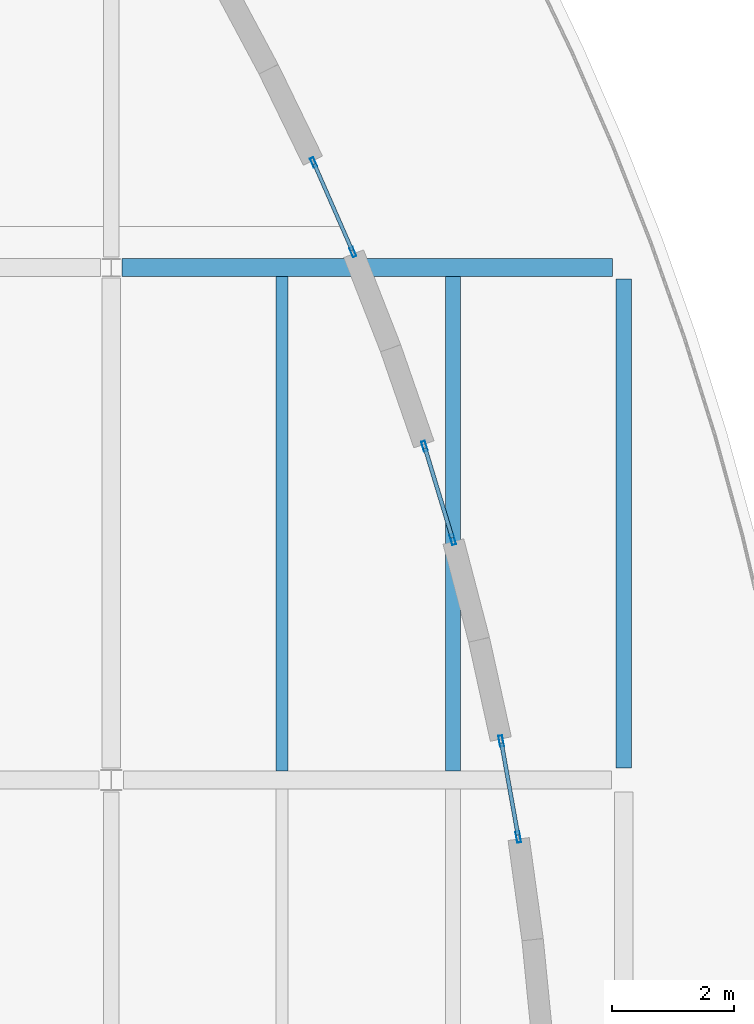
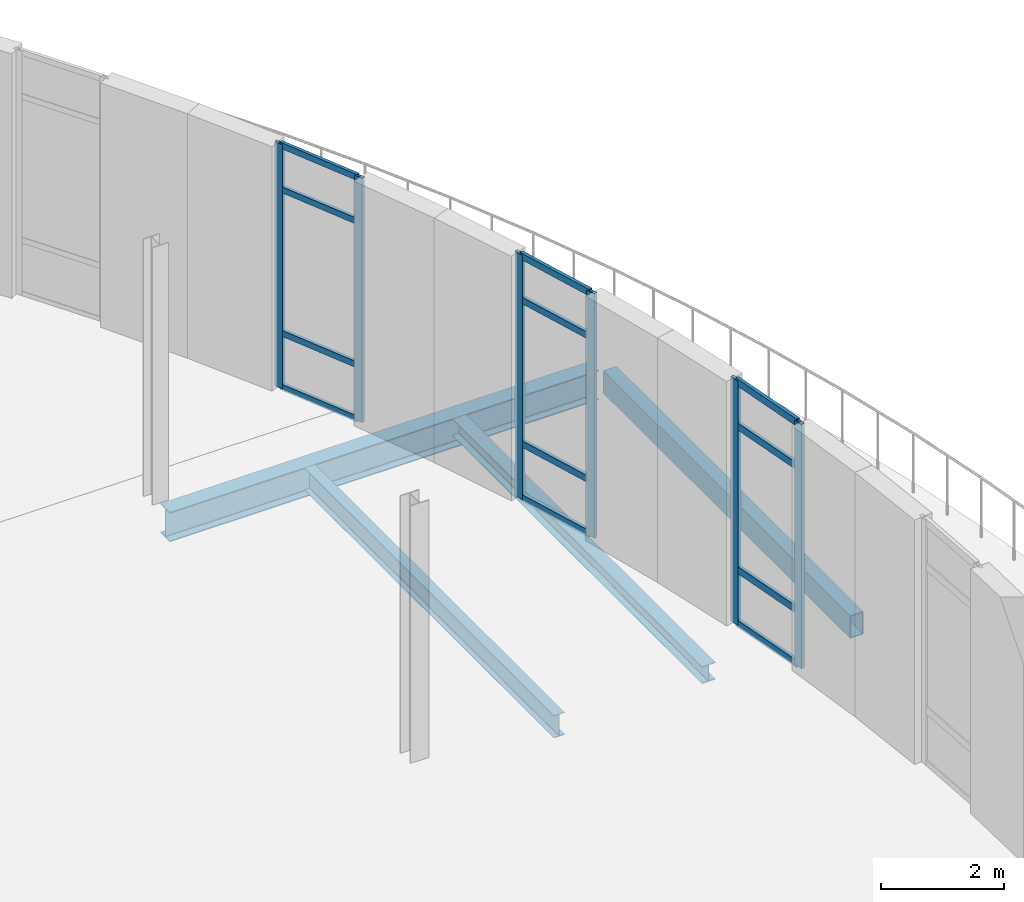
# One storey, part 53 of 91: 18 members, 4 beams, 3 elements without a shape of their own.
"""IFC4 building model written with IfcOpenShell, lengths in metres."""

from ifc_helpers import new_model, si_unit, direction, frame, origin, origin_2d, place, context, subcontext, project, spatial, hollow_rectangle, i_section, extrude, material, layer, layer_set, material_profile, profile_set, type_object, element, aggregate, save


model = new_model("IFC4")

# Units and contexts
model_context = context("Model", 3, precision=1e-05, world=origin(), true_north=direction((0.0, 1.0)))
body_context = subcontext(model_context, "Body", "Model", "MODEL_VIEW")
ifc_project = project(units=[si_unit("LENGTHUNIT", "METRE"), si_unit("AREAUNIT", "SQUARE_METRE"), si_unit("VOLUMEUNIT", "CUBIC_METRE"), si_unit("PLANEANGLEUNIT", "RADIAN"), si_unit("MASSUNIT", "GRAM", prefix="KILO"), si_unit("THERMODYNAMICTEMPERATUREUNIT", "KELVIN")], contexts=[model_context])

# Site, building, storey
site_placement = place(None, origin())
site = spatial("IfcSite", under=ifc_project, at=site_placement, CompositionType="ELEMENT")
building_placement = place(site_placement, origin())
building = spatial("IfcBuilding", under=site, at=building_placement, Name="Lustrewick Department Store", CompositionType="ELEMENT")
storey_placement = place(building_placement, frame((0.0, 0.0, 21.60009765625)))
storey = spatial("IfcBuildingStorey", under=building, at=storey_placement, Name="L05", CompositionType="ELEMENT", Elevation=21.60009765625)

# Beams
ifc_material_1 = material(Name="Structural steel Q355B", Category="steel")
ifc_material_profile_1 = material_profile(ifc_material_1, i_section(OverallWidth=0.198974609375, OverallDepth=0.446044921875, WebThickness=0.008056640625, FlangeThickness=0.011962890625, FilletRadius=0.01611328125, at=origin_2d()), Name="HN 446x199x8x12")
ifc_profile_set_1 = profile_set([ifc_material_profile_1], Name="Structural steel Q355B")
beam_type_1 = type_object("IfcBeamType", Name="B04", PredefinedType="JOIST", material=ifc_profile_set_1)
beam_1_placement = place(storey_placement, frame((154.0, 67.35009765625, -0.47802734375), z_axis=(0.0, 1.0, 0.0), x_axis=(-1.0, 0.0, 0.0)))
element("IfcBeam", 1, at=beam_1_placement, inside=storey, type_object=beam_type_1, Name="L05 V4 Secondary Joist B04", PredefinedType="JOIST", context=body_context, shape_type="SweptSolid", body=[
    extrude(i_section(OverallWidth=0.198974609375, OverallDepth=0.446044921875, WebThickness=0.008056640625, FlangeThickness=0.011962890625, FilletRadius=0.01611328125, at=origin_2d()), origin(), (0.0, 0.0, 1.0), 8.099853515625),
])
ifc_material_profile_2 = material_profile(ifc_material_1, i_section(OverallWidth=0.25, OverallDepth=0.340087890625, WebThickness=0.009033203125, FlangeThickness=0.013916015625, FilletRadius=0.01611328125, at=origin_2d()), Name="HM 340x250x9x14")
ifc_profile_set_2 = profile_set([ifc_material_profile_2], Name="Structural steel Q355B")
beam_type_2 = type_object("IfcBeamType", Name="B08", PredefinedType="JOIST", material=ifc_profile_set_2)
beam_2_placement = place(storey_placement, frame((156.800048828125, 67.35009765625, -0.425048828125), z_axis=(0.0, 1.0, 0.0), x_axis=(-1.0, 0.0, 0.0)))
element("IfcBeam", 2, at=beam_2_placement, inside=storey, type_object=beam_type_2, Name="L05 V4 Secondary Joist B08", PredefinedType="JOIST", context=body_context, shape_type="SweptSolid", body=[
    extrude(i_section(OverallWidth=0.25, OverallDepth=0.340087890625, WebThickness=0.009033203125, FlangeThickness=0.013916015625, FilletRadius=0.01611328125, at=origin_2d()), origin(), (0.0, 0.0, 1.0), 8.099853515625),
])

# Curtain wall, members
ifc_material_2 = material(Name="Thermally broken aluminium 6063-T5", Category="aluminium")
ifc_layer_1 = layer(ifc_material_2, 0.179931640625, Name="Thermally broken aluminium 6063-T5")
ifc_layer_set_1 = layer_set([ifc_layer_1], Name="Thermally broken aluminium 6063-T5")
curtain_wall_type_1 = type_object("IfcCurtainWallType", Name="CW02", PredefinedType="NOTDEFINED", material=ifc_layer_set_1)
curtain_wall_1_placement = place(storey_placement, origin())
curtain_wall_1 = element("IfcCurtainWall", 3, at=curtain_wall_1_placement, inside=storey, type_object=curtain_wall_type_1, Name="L05 V4 Curtain Wall CW02", PredefinedType="NOTDEFINED")
ifc_material_profile_3 = material_profile(ifc_material_2, hollow_rectangle(XDim=0.06494140625, YDim=0.179931640625, WallThickness=0.00390625, at=origin_2d()), Name="ALU-M 65x180x4")
ifc_profile_set_3 = profile_set([ifc_material_profile_3], Name="Thermally broken aluminium 6063-T5")
member_type_1 = type_object("IfcMemberType", Name="CW02-M1", PredefinedType="MULLION", material=ifc_profile_set_3)
member_1_placement = place(storey_placement, frame((157.872314453125, 66.264892578125, 0.0), z_axis=(0.0, 0.0, 1.0), x_axis=(-0.98442534814, -0.175803111289, 0.0)))
member_1 = element("IfcMember", 4, at=member_1_placement, type_object=member_type_1, Name="CW02 mullion 1", PredefinedType="MULLION", context=body_context, shape_type="SweptSolid", body=[
    extrude(hollow_rectangle(XDim=0.06494140625, YDim=0.179931640625, WallThickness=0.00390625, at=origin_2d()), origin(), (0.0, 0.0, 1.0), 4.844970703125),
])
member_2_placement = place(storey_placement, frame((157.591064453125, 67.83984375, 0.0), z_axis=(0.0, 0.0, 1.0), x_axis=(-0.98442534814, -0.175803111289, 0.0)))
member_2 = element("IfcMember", 5, at=member_2_placement, type_object=member_type_1, Name="CW02 mullion 2", PredefinedType="MULLION", context=body_context, shape_type="SweptSolid", body=[
    extrude(hollow_rectangle(XDim=0.06494140625, YDim=0.179931640625, WallThickness=0.00390625, at=origin_2d()), origin(), (0.0, 0.0, 1.0), 4.844970703125),
])
ifc_material_profile_4 = material_profile(ifc_material_2, hollow_rectangle(XDim=0.06494140625, YDim=0.139892578125, WallThickness=0.00341796875, at=origin_2d()), Name="ALU-T 65x140x3.5")
ifc_profile_set_4 = profile_set([ifc_material_profile_4], Name="Thermally broken aluminium 6063-T5")
member_type_2 = type_object("IfcMemberType", Name="CW02-T1", PredefinedType="USERDEFINED", material=ifc_profile_set_4)
member_3_placement = place(storey_placement, frame((157.866455078125, 66.296875, 0.032470703125), z_axis=(-0.175763112297, 0.984432490502, 0.0), x_axis=(-0.984432490502, -0.175763112297, 0.0)))
member_3 = element("IfcMember", 6, at=member_3_placement, type_object=member_type_2, Name="CW02 transom 1.1", ObjectType="TRANSOM", PredefinedType="USERDEFINED", context=body_context, shape_type="SweptSolid", body=[
    extrude(hollow_rectangle(XDim=0.06494140625, YDim=0.139892578125, WallThickness=0.00341796875, at=origin_2d()), origin(), (0.0, 0.0, 1.0), 1.534912109375),
])
member_4_placement = place(storey_placement, frame((157.866455078125, 66.296875, 1.099853515625), z_axis=(-0.175763112297, 0.984432490502, 0.0), x_axis=(-0.984432490502, -0.175763112297, 0.0)))
member_4 = element("IfcMember", 7, at=member_4_placement, type_object=member_type_2, Name="CW02 transom 1.2", ObjectType="TRANSOM", PredefinedType="USERDEFINED", context=body_context, shape_type="SweptSolid", body=[
    extrude(hollow_rectangle(XDim=0.06494140625, YDim=0.139892578125, WallThickness=0.00341796875, at=origin_2d()), origin(), (0.0, 0.0, 1.0), 1.534912109375),
])
member_5_placement = place(storey_placement, frame((157.866455078125, 66.296875, 3.94482421875), z_axis=(-0.175763112297, 0.984432490502, 0.0), x_axis=(-0.984432490502, -0.175763112297, 0.0)))
member_5 = element("IfcMember", 8, at=member_5_placement, type_object=member_type_2, Name="CW02 transom 1.3", ObjectType="TRANSOM", PredefinedType="USERDEFINED", context=body_context, shape_type="SweptSolid", body=[
    extrude(hollow_rectangle(XDim=0.06494140625, YDim=0.139892578125, WallThickness=0.00341796875, at=origin_2d()), origin(), (0.0, 0.0, 1.0), 1.534912109375),
])
member_6_placement = place(storey_placement, frame((157.866455078125, 66.296875, 4.8125), z_axis=(-0.175763112297, 0.984432490502, 0.0), x_axis=(-0.984432490502, -0.175763112297, 0.0)))
member_6 = element("IfcMember", 9, at=member_6_placement, type_object=member_type_2, Name="CW02 transom 1.4", ObjectType="TRANSOM", PredefinedType="USERDEFINED", context=body_context, shape_type="SweptSolid", body=[
    extrude(hollow_rectangle(XDim=0.06494140625, YDim=0.139892578125, WallThickness=0.00341796875, at=origin_2d()), origin(), (0.0, 0.0, 1.0), 1.534912109375),
])
aggregate(curtain_wall_1, [member_1, member_2, member_3, member_4, member_5, member_6])

ifc_layer_2 = layer(ifc_material_2, 0.169921875, Name="Thermally broken aluminium 6063-T5")
ifc_layer_set_2 = layer_set([ifc_layer_2], Name="Thermally broken aluminium 6063-T5")
curtain_wall_type_2 = type_object("IfcCurtainWallType", Name="CW03", PredefinedType="NOTDEFINED", material=ifc_layer_set_2)
curtain_wall_2_placement = place(storey_placement, origin())
curtain_wall_2 = element("IfcCurtainWall", 10, at=curtain_wall_2_placement, inside=storey, type_object=curtain_wall_type_2, Name="L05 V4 Curtain Wall CW03", PredefinedType="NOTDEFINED")
ifc_material_profile_5 = material_profile(ifc_material_2, hollow_rectangle(XDim=0.06494140625, YDim=0.169921875, WallThickness=0.00390625, at=origin_2d()), Name="ALU-M 65x170x4")
ifc_profile_set_5 = profile_set([ifc_material_profile_5], Name="Thermally broken aluminium 6063-T5")
member_type_3 = type_object("IfcMemberType", Name="CW03-M1", PredefinedType="MULLION", material=ifc_profile_set_5)
member_7_placement = place(storey_placement, frame((156.798583984375, 71.14013671875, 0.0), z_axis=(0.0, 0.0, 1.0), x_axis=(-0.956938990308, -0.290289112487, 0.0)))
member_7 = element("IfcMember", 11, at=member_7_placement, type_object=member_type_3, Name="CW03 mullion 1", PredefinedType="MULLION", context=body_context, shape_type="SweptSolid", body=[
    extrude(hollow_rectangle(XDim=0.06494140625, YDim=0.169921875, WallThickness=0.00390625, at=origin_2d()), origin(), (0.0, 0.0, 1.0), 4.844970703125),
])
member_8_placement = place(storey_placement, frame((156.334228515625, 72.671142578125, 0.0), z_axis=(0.0, 0.0, 1.0), x_axis=(-0.956938990308, -0.290289112487, 0.0)))
member_8 = element("IfcMember", 12, at=member_8_placement, type_object=member_type_3, Name="CW03 mullion 2", PredefinedType="MULLION", context=body_context, shape_type="SweptSolid", body=[
    extrude(hollow_rectangle(XDim=0.06494140625, YDim=0.169921875, WallThickness=0.00390625, at=origin_2d()), origin(), (0.0, 0.0, 1.0), 4.844970703125),
])
ifc_material_profile_6 = material_profile(ifc_material_2, hollow_rectangle(XDim=0.06494140625, YDim=0.1298828125, WallThickness=0.00341796875, at=origin_2d()), Name="ALU-T 65x130x3.5")
ifc_profile_set_6 = profile_set([ifc_material_profile_6], Name="Thermally broken aluminium 6063-T5")
member_type_4 = type_object("IfcMemberType", Name="CW03-T1", PredefinedType="USERDEFINED", material=ifc_profile_set_6)
member_9_placement = place(storey_placement, frame((156.789306640625, 71.17138671875, 0.032470703125), z_axis=(-0.290294342101, 0.95693740388, 0.0), x_axis=(-0.95693740388, -0.290294342101, 0.0)))
member_9 = element("IfcMember", 13, at=member_9_placement, type_object=member_type_4, Name="CW03 transom 1.1", ObjectType="TRANSOM", PredefinedType="USERDEFINED", context=body_context, shape_type="SweptSolid", body=[
    extrude(hollow_rectangle(XDim=0.06494140625, YDim=0.1298828125, WallThickness=0.00341796875, at=origin_2d()), origin(), (0.0, 0.0, 1.0), 1.534912109375),
])
member_10_placement = place(storey_placement, frame((156.789306640625, 71.17138671875, 1.099853515625), z_axis=(-0.290294342101, 0.95693740388, 0.0), x_axis=(-0.95693740388, -0.290294342101, 0.0)))
member_10 = element("IfcMember", 14, at=member_10_placement, type_object=member_type_4, Name="CW03 transom 1.2", ObjectType="TRANSOM", PredefinedType="USERDEFINED", context=body_context, shape_type="SweptSolid", body=[
    extrude(hollow_rectangle(XDim=0.06494140625, YDim=0.1298828125, WallThickness=0.00341796875, at=origin_2d()), origin(), (0.0, 0.0, 1.0), 1.534912109375),
])
member_11_placement = place(storey_placement, frame((156.789306640625, 71.17138671875, 3.94482421875), z_axis=(-0.290294342101, 0.95693740388, 0.0), x_axis=(-0.95693740388, -0.290294342101, 0.0)))
member_11 = element("IfcMember", 15, at=member_11_placement, type_object=member_type_4, Name="CW03 transom 1.3", ObjectType="TRANSOM", PredefinedType="USERDEFINED", context=body_context, shape_type="SweptSolid", body=[
    extrude(hollow_rectangle(XDim=0.06494140625, YDim=0.1298828125, WallThickness=0.00341796875, at=origin_2d()), origin(), (0.0, 0.0, 1.0), 1.534912109375),
])
member_12_placement = place(storey_placement, frame((156.789306640625, 71.17138671875, 4.8125), z_axis=(-0.290294342101, 0.95693740388, 0.0), x_axis=(-0.95693740388, -0.290294342101, 0.0)))
member_12 = element("IfcMember", 16, at=member_12_placement, type_object=member_type_4, Name="CW03 transom 1.4", ObjectType="TRANSOM", PredefinedType="USERDEFINED", context=body_context, shape_type="SweptSolid", body=[
    extrude(hollow_rectangle(XDim=0.06494140625, YDim=0.1298828125, WallThickness=0.00341796875, at=origin_2d()), origin(), (0.0, 0.0, 1.0), 1.534912109375),
])
aggregate(curtain_wall_2, [member_7, member_8, member_9, member_10, member_11, member_12])

ifc_layer_3 = layer(ifc_material_2, 0.159912109375, Name="Thermally broken aluminium 6063-T5")
ifc_layer_set_3 = layer_set([ifc_layer_3], Name="Thermally broken aluminium 6063-T5")
curtain_wall_type_3 = type_object("IfcCurtainWallType", Name="CW04", PredefinedType="NOTDEFINED", material=ifc_layer_set_3)
curtain_wall_3_placement = place(storey_placement, origin())
curtain_wall_3 = element("IfcCurtainWall", 17, at=curtain_wall_3_placement, inside=storey, type_object=curtain_wall_type_3, Name="L05 V4 Curtain Wall CW04", PredefinedType="NOTDEFINED")
ifc_material_profile_7 = material_profile(ifc_material_2, hollow_rectangle(XDim=0.06005859375, YDim=0.159912109375, WallThickness=0.00390625, at=origin_2d()), Name="ALU-M 60x160x4")
ifc_profile_set_7 = profile_set([ifc_material_profile_7], Name="Thermally broken aluminium 6063-T5")
member_type_5 = type_object("IfcMemberType", Name="CW04-M1", PredefinedType="MULLION", material=ifc_profile_set_7)
member_13_placement = place(storey_placement, frame((155.160400390625, 75.853271484375, 0.0), z_axis=(0.0, 0.0, 1.0), x_axis=(-0.916193171802, -0.400736911131, 0.0)))
member_13 = element("IfcMember", 18, at=member_13_placement, type_object=member_type_5, Name="CW04 mullion 1", PredefinedType="MULLION", context=body_context, shape_type="SweptSolid", body=[
    extrude(hollow_rectangle(XDim=0.06005859375, YDim=0.159912109375, WallThickness=0.00390625, at=origin_2d()), origin(), (0.0, 0.0, 1.0), 4.844970703125),
])
member_14_placement = place(storey_placement, frame((154.517333984375, 77.32373046875, 0.0), z_axis=(0.0, 0.0, 1.0), x_axis=(-0.916193171802, -0.400736911131, 0.0)))
member_14 = element("IfcMember", 19, at=member_14_placement, type_object=member_type_5, Name="CW04 mullion 2", PredefinedType="MULLION", context=body_context, shape_type="SweptSolid", body=[
    extrude(hollow_rectangle(XDim=0.06005859375, YDim=0.159912109375, WallThickness=0.00390625, at=origin_2d()), origin(), (0.0, 0.0, 1.0), 4.844970703125),
])
ifc_material_profile_8 = material_profile(ifc_material_2, hollow_rectangle(XDim=0.06005859375, YDim=0.1201171875, WallThickness=0.00341796875, at=origin_2d()), Name="ALU-T 60x120x3.5")
ifc_profile_set_8 = profile_set([ifc_material_profile_8], Name="Thermally broken aluminium 6063-T5")
member_type_6 = type_object("IfcMemberType", Name="CW04-T1", PredefinedType="USERDEFINED", material=ifc_profile_set_8)
member_15_placement = place(storey_placement, frame((155.1484375, 75.880859375, 0.02978515625), z_axis=(-0.400793961723, 0.91616821613, 0.0), x_axis=(-0.91616821613, -0.400793961723, 0.0)))
member_15 = element("IfcMember", 20, at=member_15_placement, type_object=member_type_6, Name="CW04 transom 1.1", ObjectType="TRANSOM", PredefinedType="USERDEFINED", context=body_context, shape_type="SweptSolid", body=[
    extrude(hollow_rectangle(XDim=0.06005859375, YDim=0.1201171875, WallThickness=0.00341796875, at=origin_2d()), origin(), (0.0, 0.0, 1.0), 1.544677734375),
])
member_16_placement = place(storey_placement, frame((155.1484375, 75.880859375, 1.099853515625), z_axis=(-0.400793961723, 0.91616821613, 0.0), x_axis=(-0.91616821613, -0.400793961723, 0.0)))
member_16 = element("IfcMember", 21, at=member_16_placement, type_object=member_type_6, Name="CW04 transom 1.2", ObjectType="TRANSOM", PredefinedType="USERDEFINED", context=body_context, shape_type="SweptSolid", body=[
    extrude(hollow_rectangle(XDim=0.06005859375, YDim=0.1201171875, WallThickness=0.00341796875, at=origin_2d()), origin(), (0.0, 0.0, 1.0), 1.544677734375),
])
member_17_placement = place(storey_placement, frame((155.1484375, 75.880859375, 3.94482421875), z_axis=(-0.400793961723, 0.91616821613, 0.0), x_axis=(-0.91616821613, -0.400793961723, 0.0)))
member_17 = element("IfcMember", 22, at=member_17_placement, type_object=member_type_6, Name="CW04 transom 1.3", ObjectType="TRANSOM", PredefinedType="USERDEFINED", context=body_context, shape_type="SweptSolid", body=[
    extrude(hollow_rectangle(XDim=0.06005859375, YDim=0.1201171875, WallThickness=0.00341796875, at=origin_2d()), origin(), (0.0, 0.0, 1.0), 1.544677734375),
])
member_18_placement = place(storey_placement, frame((155.1484375, 75.880859375, 4.81494140625), z_axis=(-0.400793961723, 0.91616821613, 0.0), x_axis=(-0.91616821613, -0.400793961723, 0.0)))
member_18 = element("IfcMember", 23, at=member_18_placement, type_object=member_type_6, Name="CW04 transom 1.4", ObjectType="TRANSOM", PredefinedType="USERDEFINED", context=body_context, shape_type="SweptSolid", body=[
    extrude(hollow_rectangle(XDim=0.06005859375, YDim=0.1201171875, WallThickness=0.00341796875, at=origin_2d()), origin(), (0.0, 0.0, 1.0), 1.544677734375),
])
aggregate(curtain_wall_3, [member_13, member_14, member_15, member_16, member_17, member_18])

# Beams
ifc_material_profile_9 = material_profile(ifc_material_1, i_section(OverallWidth=0.300048828125, OverallDepth=0.587890625, WebThickness=0.011962890625, FlangeThickness=0.02001953125, FilletRadius=0.02392578125, at=origin_2d()), Name="HM 588x300x12x20")
ifc_profile_set_9 = profile_set([ifc_material_profile_9], Name="Structural steel Q355B")
beam_type_3 = type_object("IfcBeamType", Name="G11", PredefinedType="BEAM", material=ifc_profile_set_9)
beam_3_placement = place(storey_placement, frame((151.375, 75.60009765625, -0.549072265625), z_axis=(1.0, 0.0, 0.0), x_axis=(0.0, 1.0, 0.0)))
element("IfcBeam", 24, at=beam_3_placement, inside=storey, type_object=beam_type_3, Name="L05 V4 Girder G11", PredefinedType="BEAM", context=body_context, shape_type="SweptSolid", body=[
    extrude(i_section(OverallWidth=0.300048828125, OverallDepth=0.587890625, WebThickness=0.011962890625, FlangeThickness=0.02001953125, FilletRadius=0.02392578125, at=origin_2d()), origin(), (0.0, 0.0, 1.0), 8.03662109375),
])
ifc_material_3 = material(Name="Structural steel Q355C", Category="steel")
ifc_material_profile_10 = material_profile(ifc_material_3, hollow_rectangle(XDim=0.25, YDim=0.449951171875, WallThickness=0.013916015625, at=origin_2d()), Name="RHS 450x250x14")
ifc_profile_set_10 = profile_set([ifc_material_profile_10], Name="Structural steel Q355C")
beam_type_4 = type_object("IfcBeamType", Name="G18", PredefinedType="BEAM", material=ifc_profile_set_10)
beam_4_placement = place(storey_placement, frame((159.60009765625, 67.39404296875, -0.47998046875), z_axis=(0.0, 1.0, 0.0), x_axis=(-1.0, 0.0, 0.0)))
element("IfcBeam", 25, at=beam_4_placement, inside=storey, type_object=beam_type_4, Name="L05 V4 Girder G18", PredefinedType="BEAM", context=body_context, shape_type="SweptSolid", body=[
    extrude(hollow_rectangle(XDim=0.25, YDim=0.449951171875, WallThickness=0.013916015625, at=origin_2d()), origin(), (0.0, 0.0, 1.0), 8.017578125),
])

save(model, "model.ifc")
